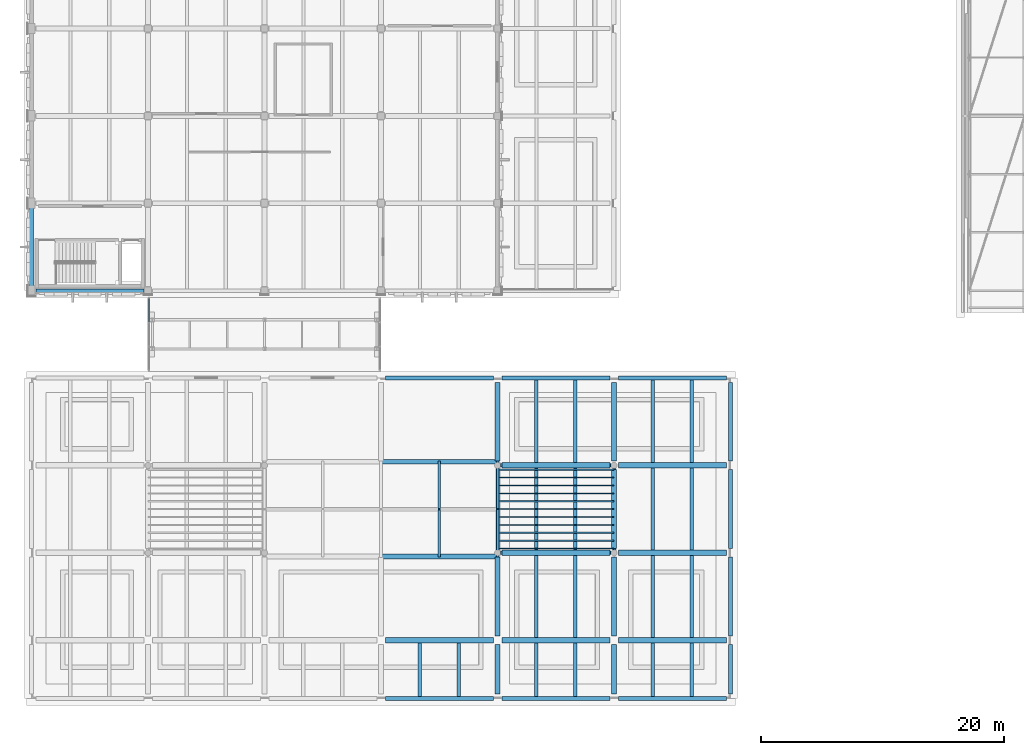
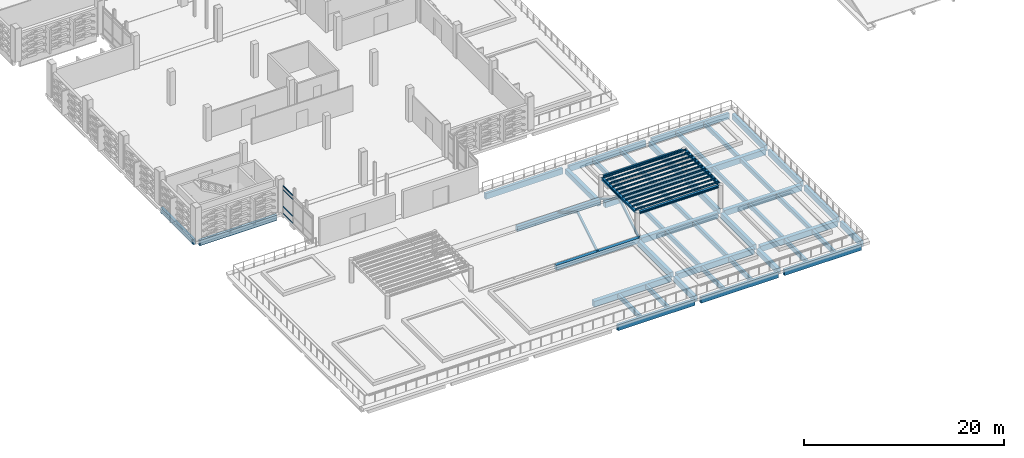
# One storey, part 9 of 134: 50 beams, 19 members, 1 element without a shape of its own.
"""IFC4 building model written with IfcOpenShell, lengths in metres."""

from ifc_helpers import new_model, si_unit, direction, frame, origin, origin_2d, place, context, subcontext, project, spatial, rectangle, hollow_rectangle, i_section, extrude, material, layer, layer_set, material_profile, profile_set, type_object, element, aggregate, save


model = new_model("IFC4")

# Units and contexts
model_context = context("Model", 3, precision=1e-05, world=origin(), true_north=direction((0.0, 1.0)))
body_context = subcontext(model_context, "Body", "Model", "MODEL_VIEW")
ifc_project = project(units=[si_unit("LENGTHUNIT", "METRE"), si_unit("AREAUNIT", "SQUARE_METRE"), si_unit("VOLUMEUNIT", "CUBIC_METRE"), si_unit("PLANEANGLEUNIT", "RADIAN"), si_unit("MASSUNIT", "GRAM", prefix="KILO")], contexts=[model_context])

# Site, building, storey
site_placement = place(None, origin())
site = spatial("IfcSite", under=ifc_project, at=site_placement, CompositionType="ELEMENT")
building_placement = place(site_placement, origin())
building = spatial("IfcBuilding", under=site, at=building_placement, Name="Asteropetra Specialist Clinic", CompositionType="ELEMENT")
storey_placement = place(building_placement, frame((0.0, 0.0, 8.5)))
storey = spatial("IfcBuildingStorey", under=building, at=storey_placement, Name="L02", CompositionType="ELEMENT", Elevation=8.5)

# Beams
ifc_material_1 = material(Name="Concrete C35/45", Category="concrete")
ifc_material_profile_1 = material_profile(ifc_material_1, rectangle(XDim=0.39990234375, YDim=0.60009765625, at=origin_2d()), Name="RCB 400x600")
ifc_profile_set_1 = profile_set([ifc_material_profile_1], Name="Concrete C35/45")
beam_type_1 = type_object("IfcBeamType", Name="BM-RC400x600", PredefinedType="BEAM", material=ifc_profile_set_1)
for number, where, z_axis, x_axis, name in (
    (1, (28.800048828125, 11.699951171875, -0.300048828125), (1.0, 0.0, 0.0), (0.0, 1.0, 0.0), "Skylight Curb Beam SKB-3"),
    (2, (28.800048828125, 19.5, -0.300048828125), (1.0, 0.0, 0.0), (0.0, 1.0, 0.0), "Skylight Curb Beam SKB-4"),
):
    element("IfcBeam", number, at=place(storey_placement, frame(where, z_axis=z_axis, x_axis=x_axis)), inside=storey, type_object=beam_type_1, Name=name, PredefinedType="BEAM", context=body_context, shape_type="SweptSolid", body=[
        extrude(rectangle(XDim=0.39990234375, YDim=0.60009765625, at=origin_2d()), origin(), (0.0, 0.0, 1.0), 9.599853515625),
    ])
ifc_material_2 = material(Name="Concrete C35/45", Category="concrete")
ifc_material_profile_2 = material_profile(ifc_material_2, rectangle(XDim=0.39990234375, YDim=0.64990234375, at=origin_2d()), Name="RCB 400x650")
ifc_profile_set_2 = profile_set([ifc_material_profile_2], Name="Concrete C35/45")
beam_type_2 = type_object("IfcBeamType", Name="BM-RC400x650", PredefinedType="BEAM", material=ifc_profile_set_2)
for number, where, z_axis, x_axis, name in (
    (3, (38.39990234375, 0.35009765625, -0.635009765625), (0.0, 1.0, 0.0), (-1.0, 0.0, 0.0), "Beam BBM07-0878"),
    (4, (48.0, 0.35009765625, -0.635009765625), (0.0, 1.0, 0.0), (-1.0, 0.0, 0.0), "Beam BBM07-0879"),
):
    element("IfcBeam", number, at=place(storey_placement, frame(where, z_axis=z_axis, x_axis=x_axis)), inside=storey, type_object=beam_type_2, Name=name, PredefinedType="BEAM", context=body_context, shape_type="SweptSolid", body=[
        extrude(rectangle(XDim=0.39990234375, YDim=0.64990234375, at=origin_2d()), origin(), (0.0, 0.0, 1.0), 4.099853515625),
    ])
for number, where, z_axis, x_axis, name in (
    (5, (38.39990234375, 5.14990234375, -0.635009765625), (0.0, 1.0, 0.0), (-1.0, 0.0, 0.0), "Beam BBM07-0897"),
    (6, (48.0, 5.14990234375, -0.635009765625), (0.0, 1.0, 0.0), (-1.0, 0.0, 0.0), "Beam BBM07-0898"),
    (7, (48.0, 12.35009765625, -0.635009765625), (0.0, 1.0, 0.0), (-1.0, 0.0, 0.0), "Beam BBM07-0910"),
    (8, (38.39990234375, 19.550048828125, -0.635009765625), (0.0, 1.0, 0.0), (-1.0, 0.0, 0.0), "Beam BBM07-0924"),
    (9, (48.0, 19.550048828125, -0.635009765625), (0.0, 1.0, 0.0), (-1.0, 0.0, 0.0), "Beam BBM07-0925"),
):
    element("IfcBeam", number, at=place(storey_placement, frame(where, z_axis=z_axis, x_axis=x_axis)), inside=storey, type_object=beam_type_2, Name=name, PredefinedType="BEAM", context=body_context, shape_type="SweptSolid", body=[
        extrude(rectangle(XDim=0.39990234375, YDim=0.64990234375, at=origin_2d()), origin(), (0.0, 0.0, 1.0), 6.5),
    ])
ifc_material_3 = material(Name="Concrete C35/45", Category="concrete")
ifc_material_profile_3 = material_profile(ifc_material_3, rectangle(XDim=0.449951171875, YDim=0.699951171875, at=origin_2d()), Name="RCB 450x700")
ifc_profile_set_3 = profile_set([ifc_material_profile_3], Name="Concrete C35/45")
beam_type_3 = type_object("IfcBeamType", Name="BM-RC450x700", PredefinedType="BEAM", material=ifc_profile_set_3)
beam_1_placement = place(storey_placement, frame((29.14990234375, 4.800048828125, -0.659912109375), z_axis=(1.0, 0.0, 0.0), x_axis=(0.0, 1.0, 0.0)))
element("IfcBeam", 10, at=beam_1_placement, inside=storey, type_object=beam_type_3, Name="Beam BBM05-0857", PredefinedType="BEAM", context=body_context, shape_type="SweptSolid", body=[
    extrude(rectangle(XDim=0.449951171875, YDim=0.699951171875, at=origin_2d()), origin(), (0.0, 0.0, 1.0), 8.900146484375),
])
for number, where, z_axis, x_axis, name in (
    (11, (38.75, 4.800048828125, -0.659912109375), (1.0, 0.0, 0.0), (0.0, 1.0, 0.0), "Beam BBM05-0858"),
    (12, (48.35009765625, 4.800048828125, -0.659912109375), (1.0, 0.0, 0.0), (0.0, 1.0, 0.0), "Beam BBM05-0859"),
    (13, (38.75, 12.0, -0.659912109375), (1.0, 0.0, 0.0), (0.0, 1.0, 0.0), "Beam BBM05-0862"),
    (14, (48.35009765625, 12.0, -0.659912109375), (1.0, 0.0, 0.0), (0.0, 1.0, 0.0), "Beam BBM05-0863"),
    (15, (38.75, 19.199951171875, -0.659912109375), (1.0, 0.0, 0.0), (0.0, 1.0, 0.0), "Beam BBM05-0866"),
    (16, (48.35009765625, 19.199951171875, -0.659912109375), (1.0, 0.0, 0.0), (0.0, 1.0, 0.0), "Beam BBM05-0867"),
):
    element("IfcBeam", number, at=place(storey_placement, frame(where, z_axis=z_axis, x_axis=x_axis)), inside=storey, type_object=beam_type_3, Name=name, PredefinedType="BEAM", context=body_context, shape_type="SweptSolid", body=[
        extrude(rectangle(XDim=0.449951171875, YDim=0.699951171875, at=origin_2d()), origin(), (0.0, 0.0, 1.0), 8.89990234375),
    ])
ifc_material_4 = material(Name="Steel S355", Category="steel")
ifc_material_profile_4 = material_profile(ifc_material_4, i_section(OverallWidth=0.280029296875, OverallDepth=0.27001953125, WebThickness=0.008056640625, FlangeThickness=0.012939453125, FilletRadius=0.02392578125, at=origin_2d()), Name="HEA 280")
ifc_profile_set_4 = profile_set([ifc_material_profile_4], Name="Steel S355")
beam_type_4 = type_object("IfcBeamType", Name="BM-STL-HEA280", PredefinedType="BEAM", material=ifc_profile_set_4)
for number, where, z_axis, x_axis, name in (
    (17, (38.39990234375, 12.25, 2.760009765625), (0.0, 1.0, 0.0), (-1.0, 0.0, 0.0), "Terrace Pergola Beam PGB-3"),
    (18, (48.0, 12.25, 2.760009765625), (0.0, 1.0, 0.0), (-1.0, 0.0, 0.0), "Terrace Pergola Beam PGB-4"),
):
    element("IfcBeam", number, at=place(storey_placement, frame(where, z_axis=z_axis, x_axis=x_axis)), inside=storey, type_object=beam_type_4, Name=name, PredefinedType="BEAM", context=body_context, shape_type="SweptSolid", body=[
        extrude(i_section(OverallWidth=0.280029296875, OverallDepth=0.27001953125, WebThickness=0.008056640625, FlangeThickness=0.012939453125, FilletRadius=0.02392578125, at=origin_2d()), origin(), (0.0, 0.0, 1.0), 6.699951171875),
    ])
for number, where, z_axis, x_axis, name in (
    (19, (38.64990234375, 12.0, 2.760009765625), (1.0, 0.0, 0.0), (0.0, 1.0, 0.0), "Terrace Pergola Tie Girder PGX-3"),
    (20, (38.64990234375, 19.199951171875, 2.760009765625), (1.0, 0.0, 0.0), (0.0, 1.0, 0.0), "Terrace Pergola Tie Girder PGX-4"),
):
    element("IfcBeam", number, at=place(storey_placement, frame(where, z_axis=z_axis, x_axis=x_axis)), inside=storey, type_object=beam_type_4, Name=name, PredefinedType="BEAM", context=body_context, shape_type="SweptSolid", body=[
        extrude(i_section(OverallWidth=0.280029296875, OverallDepth=0.27001953125, WebThickness=0.008056640625, FlangeThickness=0.012939453125, FilletRadius=0.02392578125, at=origin_2d()), origin(), (0.0, 0.0, 1.0), 9.10009765625),
    ])

# Curtain wall, members
ifc_material_5 = material(Name="Aluminium and low-E glass", Category="aluminium")
ifc_layer = layer(ifc_material_5, 0.179931640625)
ifc_layer_set = layer_set([ifc_layer], Name="Aluminium and low-E glass")
curtain_wall_type = type_object("IfcCurtainWallType", Name="CW-SYS-07", PredefinedType="USERDEFINED", material=ifc_layer_set)
curtain_wall_placement = place(storey_placement, origin())
curtain_wall = element("IfcCurtainWall", 21, at=curtain_wall_placement, inside=storey, type_object=curtain_wall_type, Name="Curtain Wall CW-099", ObjectType="STICK GLAZED COLONNADE", PredefinedType="USERDEFINED")
ifc_material_6 = material(Name="Aluminium 6063-T6", Category="aluminium")
ifc_material_profile_5 = material_profile(ifc_material_6, hollow_rectangle(XDim=0.074951171875, YDim=0.14990234375, WallThickness=0.00390625, InnerFilletRadius=0.00390625, OuterFilletRadius=0.008056640625, at=origin_2d()), Name="TRN 150x75x4.0")
ifc_profile_set_5 = profile_set([ifc_material_profile_5], Name="Aluminium 6063-T6")
member_type_1 = type_object("IfcMemberType", Name="CWT-150x75", PredefinedType="USERDEFINED", material=ifc_profile_set_5)
member_1_placement = place(storey_placement, frame((9.679931640625, 31.0341796875, 0.03759765625), z_axis=(0.0, 1.0, 0.0), x_axis=(-1.0, 0.0, 0.0)))
member_1 = element("IfcMember", 22, at=member_1_placement, type_object=member_type_1, Name="CW-099 transom 3.1", ObjectType="TRANSOM", PredefinedType="USERDEFINED", context=body_context, shape_type="SweptSolid", body=[
    extrude(hollow_rectangle(XDim=0.074951171875, YDim=0.14990234375, WallThickness=0.00390625, InnerFilletRadius=0.00390625, OuterFilletRadius=0.008056640625, at=origin_2d()), origin(), (0.0, 0.0, 1.0), 1.880859375),
])
member_2_placement = place(storey_placement, frame((9.679931640625, 31.0341796875, 0.89990234375), z_axis=(0.0, 1.0, 0.0), x_axis=(-1.0, 0.0, 0.0)))
member_2 = element("IfcMember", 23, at=member_2_placement, type_object=member_type_1, Name="CW-099 transom 3.2", ObjectType="TRANSOM", PredefinedType="USERDEFINED", context=body_context, shape_type="SweptSolid", body=[
    extrude(hollow_rectangle(XDim=0.074951171875, YDim=0.14990234375, WallThickness=0.00390625, InnerFilletRadius=0.00390625, OuterFilletRadius=0.008056640625, at=origin_2d()), origin(), (0.0, 0.0, 1.0), 1.880859375),
])
member_3_placement = place(storey_placement, frame((9.679931640625, 31.0341796875, 2.929931640625), z_axis=(0.0, 1.0, 0.0), x_axis=(-1.0, 0.0, 0.0)))
member_3 = element("IfcMember", 24, at=member_3_placement, type_object=member_type_1, Name="CW-099 transom 3.3", ObjectType="TRANSOM", PredefinedType="USERDEFINED", context=body_context, shape_type="SweptSolid", body=[
    extrude(hollow_rectangle(XDim=0.074951171875, YDim=0.14990234375, WallThickness=0.00390625, InnerFilletRadius=0.00390625, OuterFilletRadius=0.008056640625, at=origin_2d()), origin(), (0.0, 0.0, 1.0), 1.880859375),
])
member_4_placement = place(storey_placement, frame((9.679931640625, 31.0341796875, 3.392578125), z_axis=(0.0, 1.0, 0.0), x_axis=(-1.0, 0.0, 0.0)))
member_4 = element("IfcMember", 25, at=member_4_placement, type_object=member_type_1, Name="CW-099 transom 3.4", ObjectType="TRANSOM", PredefinedType="USERDEFINED", context=body_context, shape_type="SweptSolid", body=[
    extrude(hollow_rectangle(XDim=0.074951171875, YDim=0.14990234375, WallThickness=0.00390625, InnerFilletRadius=0.00390625, OuterFilletRadius=0.008056640625, at=origin_2d()), origin(), (0.0, 0.0, 1.0), 1.880859375),
])
aggregate(curtain_wall, [member_1, member_2, member_3, member_4])

# Beams
ifc_material_7 = material(Name="Concrete C35/45", Category="concrete")
ifc_material_profile_6 = material_profile(ifc_material_7, rectangle(XDim=0.280029296875, YDim=0.52001953125, at=origin_2d()), Name="RCJ 280x520")
ifc_profile_set_6 = profile_set([ifc_material_profile_6], Name="Concrete C35/45")
beam_type_5 = type_object("IfcBeamType", Name="JST-RC280x520", PredefinedType="JOIST", material=ifc_profile_set_6)
for number, where, z_axis, x_axis, name in (
    (26, (32.0, 0.159912109375, -0.570068359375), (0.0, 1.0, 0.0), (-1.0, 0.0, 0.0), "Joist JJST01-0887"),
    (27, (35.199951171875, 0.159912109375, -0.570068359375), (0.0, 1.0, 0.0), (-1.0, 0.0, 0.0), "Joist JJST01-0888"),
    (28, (41.60009765625, 0.159912109375, -0.570068359375), (0.0, 1.0, 0.0), (-1.0, 0.0, 0.0), "Joist JJST01-0889"),
    (29, (44.800048828125, 0.159912109375, -0.570068359375), (0.0, 1.0, 0.0), (-1.0, 0.0, 0.0), "Joist JJST01-0890"),
    (30, (51.199951171875, 0.159912109375, -0.570068359375), (0.0, 1.0, 0.0), (-1.0, 0.0, 0.0), "Joist JJST01-0891"),
    (31, (54.39990234375, 0.159912109375, -0.570068359375), (0.0, 1.0, 0.0), (-1.0, 0.0, 0.0), "Joist JJST01-0892"),
):
    element("IfcBeam", number, at=place(storey_placement, frame(where, z_axis=z_axis, x_axis=x_axis)), inside=storey, type_object=beam_type_5, Name=name, PredefinedType="JOIST", context=body_context, shape_type="SweptSolid", body=[
        extrude(rectangle(XDim=0.280029296875, YDim=0.52001953125, at=origin_2d()), origin(), (0.0, 0.0, 1.0), 4.4150390625),
    ])
for number, where, z_axis, x_axis, name in (
    (32, (41.60009765625, 5.02490234375, -0.570068359375), (0.0, 1.0, 0.0), (-1.0, 0.0, 0.0), "Joist JJST01-0904"),
    (33, (44.800048828125, 5.02490234375, -0.570068359375), (0.0, 1.0, 0.0), (-1.0, 0.0, 0.0), "Joist JJST01-0905"),
    (34, (51.199951171875, 5.02490234375, -0.570068359375), (0.0, 1.0, 0.0), (-1.0, 0.0, 0.0), "Joist JJST01-0906"),
    (35, (54.39990234375, 5.02490234375, -0.570068359375), (0.0, 1.0, 0.0), (-1.0, 0.0, 0.0), "Joist JJST01-0907"),
    (36, (41.60009765625, 12.22509765625, -0.570068359375), (0.0, 1.0, 0.0), (-1.0, 0.0, 0.0), "Joist JJST01-0916"),
    (37, (44.800048828125, 12.22509765625, -0.570068359375), (0.0, 1.0, 0.0), (-1.0, 0.0, 0.0), "Joist JJST01-0917"),
    (38, (51.199951171875, 12.22509765625, -0.570068359375), (0.0, 1.0, 0.0), (-1.0, 0.0, 0.0), "Joist JJST01-0918"),
    (39, (54.39990234375, 12.22509765625, -0.570068359375), (0.0, 1.0, 0.0), (-1.0, 0.0, 0.0), "Joist JJST01-0919"),
):
    element("IfcBeam", number, at=place(storey_placement, frame(where, z_axis=z_axis, x_axis=x_axis)), inside=storey, type_object=beam_type_5, Name=name, PredefinedType="JOIST", context=body_context, shape_type="SweptSolid", body=[
        extrude(rectangle(XDim=0.280029296875, YDim=0.52001953125, at=origin_2d()), origin(), (0.0, 0.0, 1.0), 6.75),
    ])
for number, where, z_axis, x_axis, name in (
    (40, (41.60009765625, 19.425048828125, -0.570068359375), (0.0, 1.0, 0.0), (-1.0, 0.0, 0.0), "Joist JJST01-0931"),
    (41, (44.800048828125, 19.425048828125, -0.570068359375), (0.0, 1.0, 0.0), (-1.0, 0.0, 0.0), "Joist JJST01-0932"),
    (42, (51.199951171875, 19.425048828125, -0.570068359375), (0.0, 1.0, 0.0), (-1.0, 0.0, 0.0), "Joist JJST01-0933"),
    (43, (54.39990234375, 19.425048828125, -0.570068359375), (0.0, 1.0, 0.0), (-1.0, 0.0, 0.0), "Joist JJST01-0934"),
):
    element("IfcBeam", number, at=place(storey_placement, frame(where, z_axis=z_axis, x_axis=x_axis)), inside=storey, type_object=beam_type_5, Name=name, PredefinedType="JOIST", context=body_context, shape_type="SweptSolid", body=[
        extrude(rectangle(XDim=0.280029296875, YDim=0.52001953125, at=origin_2d()), origin(), (0.0, 0.0, 1.0), 6.81494140625),
    ])
ifc_material_8 = material(Name="Concrete C35/45", Category="concrete")
ifc_material_profile_7 = material_profile(ifc_material_8, rectangle(XDim=0.300048828125, YDim=0.64990234375, at=origin_2d()), Name="RCS 300x650")
ifc_profile_set_7 = profile_set([ifc_material_profile_7], Name="Concrete C35/45")
beam_type_6 = type_object("IfcBeamType", Name="SPN-RC300x650", PredefinedType="SPANDREL", material=ifc_profile_set_7)
beam_2_placement = place(storey_placement, frame((0.35009765625, 33.60009765625, -0.625), z_axis=(1.0, 0.0, 0.0), x_axis=(0.0, 1.0, 0.0)))
element("IfcBeam", 44, at=beam_2_placement, inside=storey, type_object=beam_type_6, Name="Beam BSPN03-1053", PredefinedType="SPANDREL", context=body_context, shape_type="SweptSolid", body=[
    extrude(rectangle(XDim=0.300048828125, YDim=0.64990234375, at=origin_2d()), origin(), (0.0, 0.0, 1.0), 8.89990234375),
])
beam_3_placement = place(storey_placement, frame((0.0, 33.949951171875, -0.625), z_axis=(0.0, 1.0, 0.0), x_axis=(-1.0, 0.0, 0.0)))
element("IfcBeam", 45, at=beam_3_placement, inside=storey, type_object=beam_type_6, Name="Beam BSPN03-1073", PredefinedType="SPANDREL", context=body_context, shape_type="SweptSolid", body=[
    extrude(rectangle(XDim=0.300048828125, YDim=0.64990234375, at=origin_2d()), origin(), (0.0, 0.0, 1.0), 6.5),
])
ifc_material_9 = material(Name="Concrete C35/45", Category="concrete")
ifc_material_profile_8 = material_profile(ifc_material_9, rectangle(XDim=0.320068359375, YDim=0.699951171875, at=origin_2d()), Name="RCS 320x700")
ifc_profile_set_8 = profile_set([ifc_material_profile_8], Name="Concrete C35/45")
beam_type_7 = type_object("IfcBeamType", Name="SPN-RC320x700", PredefinedType="SPANDREL", material=ifc_profile_set_8)
beam_4_placement = place(storey_placement, frame((29.14990234375, 0.0, -0.659912109375), z_axis=(1.0, 0.0, 0.0), x_axis=(0.0, 1.0, 0.0)))
element("IfcBeam", 46, at=beam_4_placement, inside=storey, type_object=beam_type_7, Name="Beam BSPN02-0851", PredefinedType="SPANDREL", context=body_context, shape_type="SweptSolid", body=[
    extrude(rectangle(XDim=0.320068359375, YDim=0.699951171875, at=origin_2d()), origin(), (0.0, 0.0, 1.0), 8.900146484375),
])
for number, where, z_axis, x_axis, name in (
    (47, (38.75, 0.0, -0.659912109375), (1.0, 0.0, 0.0), (0.0, 1.0, 0.0), "Beam BSPN02-0852"),
    (48, (48.35009765625, 0.0, -0.659912109375), (1.0, 0.0, 0.0), (0.0, 1.0, 0.0), "Beam BSPN02-0853"),
):
    element("IfcBeam", number, at=place(storey_placement, frame(where, z_axis=z_axis, x_axis=x_axis)), inside=storey, type_object=beam_type_7, Name=name, PredefinedType="SPANDREL", context=body_context, shape_type="SweptSolid", body=[
        extrude(rectangle(XDim=0.320068359375, YDim=0.699951171875, at=origin_2d()), origin(), (0.0, 0.0, 1.0), 8.89990234375),
    ])
beam_5_placement = place(storey_placement, frame((29.14990234375, 26.39990234375, -0.659912109375), z_axis=(1.0, 0.0, 0.0), x_axis=(0.0, 1.0, 0.0)))
element("IfcBeam", 49, at=beam_5_placement, inside=storey, type_object=beam_type_7, Name="Beam BSPN02-0871", PredefinedType="SPANDREL", context=body_context, shape_type="SweptSolid", body=[
    extrude(rectangle(XDim=0.320068359375, YDim=0.699951171875, at=origin_2d()), origin(), (0.0, 0.0, 1.0), 8.900146484375),
])
for number, where, z_axis, x_axis, name in (
    (50, (38.75, 26.39990234375, -0.659912109375), (1.0, 0.0, 0.0), (0.0, 1.0, 0.0), "Beam BSPN02-0872"),
    (51, (48.35009765625, 26.39990234375, -0.659912109375), (1.0, 0.0, 0.0), (0.0, 1.0, 0.0), "Beam BSPN02-0873"),
):
    element("IfcBeam", number, at=place(storey_placement, frame(where, z_axis=z_axis, x_axis=x_axis)), inside=storey, type_object=beam_type_7, Name=name, PredefinedType="SPANDREL", context=body_context, shape_type="SweptSolid", body=[
        extrude(rectangle(XDim=0.320068359375, YDim=0.699951171875, at=origin_2d()), origin(), (0.0, 0.0, 1.0), 8.89990234375),
    ])
beam_6_placement = place(storey_placement, frame((57.60009765625, 0.35009765625, -0.659912109375), z_axis=(0.0, 1.0, 0.0), x_axis=(-1.0, 0.0, 0.0)))
element("IfcBeam", 52, at=beam_6_placement, inside=storey, type_object=beam_type_7, Name="Beam BSPN02-0880", PredefinedType="SPANDREL", context=body_context, shape_type="SweptSolid", body=[
    extrude(rectangle(XDim=0.320068359375, YDim=0.699951171875, at=origin_2d()), origin(), (0.0, 0.0, 1.0), 4.099853515625),
])
for number, where, z_axis, x_axis, name in (
    (53, (57.60009765625, 5.14990234375, -0.659912109375), (0.0, 1.0, 0.0), (-1.0, 0.0, 0.0), "Beam BSPN02-0899"),
    (54, (57.60009765625, 12.35009765625, -0.659912109375), (0.0, 1.0, 0.0), (-1.0, 0.0, 0.0), "Beam BSPN02-0911"),
    (55, (57.60009765625, 19.550048828125, -0.659912109375), (0.0, 1.0, 0.0), (-1.0, 0.0, 0.0), "Beam BSPN02-0926"),
):
    element("IfcBeam", number, at=place(storey_placement, frame(where, z_axis=z_axis, x_axis=x_axis)), inside=storey, type_object=beam_type_7, Name=name, PredefinedType="SPANDREL", context=body_context, shape_type="SweptSolid", body=[
        extrude(rectangle(XDim=0.320068359375, YDim=0.699951171875, at=origin_2d()), origin(), (0.0, 0.0, 1.0), 6.5),
    ])

# Members
ifc_material_10 = material(Name="Steel S355", Category="steel")
ifc_material_profile_9 = material_profile(ifc_material_10, i_section(OverallWidth=0.10009765625, OverallDepth=0.199951171875, WebThickness=0.005615234375, FlangeThickness=0.008544921875, FilletRadius=0.011962890625, at=origin_2d()), Name="IPE 200")
ifc_profile_set_9 = profile_set([ifc_material_profile_9], Name="Steel S355")
member_type_2 = type_object("IfcMemberType", Name="TR-PUR-IPE200", PredefinedType="PURLIN", material=ifc_profile_set_9)
for number, where, z_axis, x_axis, name in (
    (56, (38.39990234375, 12.35009765625, 2.989990234375), (1.0, 0.0, 0.0), (0.0, 1.0, 0.0), "Terrace Pergola Shade Trellis PGR-12"),
    (57, (38.39990234375, 13.0, 2.989990234375), (1.0, 0.0, 0.0), (0.0, 1.0, 0.0), "Terrace Pergola Shade Trellis PGR-13"),
    (58, (38.39990234375, 13.64990234375, 2.989990234375), (1.0, 0.0, 0.0), (0.0, 1.0, 0.0), "Terrace Pergola Shade Trellis PGR-14"),
    (59, (38.39990234375, 14.300048828125, 2.989990234375), (1.0, 0.0, 0.0), (0.0, 1.0, 0.0), "Terrace Pergola Shade Trellis PGR-15"),
    (60, (38.39990234375, 14.949951171875, 2.989990234375), (1.0, 0.0, 0.0), (0.0, 1.0, 0.0), "Terrace Pergola Shade Trellis PGR-16"),
    (61, (38.39990234375, 15.60009765625, 2.989990234375), (1.0, 0.0, 0.0), (0.0, 1.0, 0.0), "Terrace Pergola Shade Trellis PGR-17"),
    (62, (38.39990234375, 16.25, 2.989990234375), (1.0, 0.0, 0.0), (0.0, 1.0, 0.0), "Terrace Pergola Shade Trellis PGR-18"),
    (63, (38.39990234375, 16.89990234375, 2.989990234375), (1.0, 0.0, 0.0), (0.0, 1.0, 0.0), "Terrace Pergola Shade Trellis PGR-19"),
    (64, (38.39990234375, 17.550048828125, 2.989990234375), (1.0, 0.0, 0.0), (0.0, 1.0, 0.0), "Terrace Pergola Shade Trellis PGR-20"),
    (65, (38.39990234375, 18.199951171875, 2.989990234375), (1.0, 0.0, 0.0), (0.0, 1.0, 0.0), "Terrace Pergola Shade Trellis PGR-21"),
    (66, (38.39990234375, 18.85009765625, 2.989990234375), (1.0, 0.0, 0.0), (0.0, 1.0, 0.0), "Terrace Pergola Shade Trellis PGR-22"),
):
    element("IfcMember", number, at=place(storey_placement, frame(where, z_axis=z_axis, x_axis=x_axis)), inside=storey, type_object=member_type_2, Name=name, PredefinedType="PURLIN", context=body_context, shape_type="SweptSolid", body=[
        extrude(i_section(OverallWidth=0.10009765625, OverallDepth=0.199951171875, WebThickness=0.005615234375, FlangeThickness=0.008544921875, FilletRadius=0.011962890625, at=origin_2d()), origin(), (0.0, 0.0, 1.0), 9.60009765625),
    ])
ifc_material_11 = material(Name="Steel S355", Category="steel")
ifc_material_profile_10 = material_profile(ifc_material_11, i_section(OverallWidth=0.199951171875, OverallDepth=0.18994140625, WebThickness=0.006591796875, FlangeThickness=0.010009765625, FilletRadius=0.01806640625, at=origin_2d()), Name="HEA 200")
ifc_profile_set_10 = profile_set([ifc_material_profile_10], Name="Steel S355")
member_type_3 = type_object("IfcMemberType", Name="TR-RAF-HEA200", PredefinedType="RAFTER", material=ifc_profile_set_10)
member_5_placement = place(storey_placement, frame((38.39990234375, 11.699951171875, -0.0400390625), z_axis=(0.0, 0.852628099102, 0.522518252908), x_axis=(-1.0, 0.0, 0.0)))
element("IfcMember", 67, at=member_5_placement, inside=storey, type_object=member_type_3, Name="Atrium Rafter South SKR-S5", PredefinedType="RAFTER", context=body_context, shape_type="SweptSolid", body=[
    extrude(i_section(OverallWidth=0.199951171875, OverallDepth=0.18994140625, WebThickness=0.006591796875, FlangeThickness=0.010009765625, FilletRadius=0.01806640625, at=origin_2d()), origin(), (0.0, 0.0, 1.0), 4.57421875),
])
member_6_placement = place(storey_placement, frame((38.39990234375, 15.60009765625, 2.35009765625), z_axis=(0.0, 0.852613526022, -0.522542032037), x_axis=(-1.0, 0.0, 0.0)))
element("IfcMember", 68, at=member_6_placement, inside=storey, type_object=member_type_3, Name="Atrium Rafter North SKR-N5", PredefinedType="RAFTER", context=body_context, shape_type="SweptSolid", body=[
    extrude(i_section(OverallWidth=0.199951171875, OverallDepth=0.18994140625, WebThickness=0.006591796875, FlangeThickness=0.010009765625, FilletRadius=0.01806640625, at=origin_2d()), origin(), (0.0, 0.0, 1.0), 4.573974609375),
])
ifc_material_12 = material(Name="Steel S355", Category="steel")
ifc_material_profile_11 = material_profile(ifc_material_12, i_section(OverallWidth=0.219970703125, OverallDepth=0.2099609375, WebThickness=0.007080078125, FlangeThickness=0.010986328125, FilletRadius=0.01806640625, at=origin_2d()), Name="HEA 220")
ifc_profile_set_11 = profile_set([ifc_material_profile_11], Name="Steel S355")
member_type_4 = type_object("IfcMemberType", Name="TR-RAF-HEA220", PredefinedType="RAFTER", material=ifc_profile_set_11)
member_7_placement = place(storey_placement, frame((33.60009765625, 11.699951171875, -0.0400390625), z_axis=(0.0, 0.852628099102, 0.522518252908), x_axis=(-1.0, 0.0, 0.0)))
element("IfcMember", 69, at=member_7_placement, inside=storey, type_object=member_type_4, Name="Atrium Rafter South SKR-S4", PredefinedType="RAFTER", context=body_context, shape_type="SweptSolid", body=[
    extrude(i_section(OverallWidth=0.219970703125, OverallDepth=0.2099609375, WebThickness=0.007080078125, FlangeThickness=0.010986328125, FilletRadius=0.01806640625, at=origin_2d()), origin(), (0.0, 0.0, 1.0), 4.57421875),
])
member_8_placement = place(storey_placement, frame((33.60009765625, 15.60009765625, 2.35009765625), z_axis=(0.0, 0.852613526022, -0.522542032037), x_axis=(-1.0, 0.0, 0.0)))
element("IfcMember", 70, at=member_8_placement, inside=storey, type_object=member_type_4, Name="Atrium Rafter North SKR-N4", PredefinedType="RAFTER", context=body_context, shape_type="SweptSolid", body=[
    extrude(i_section(OverallWidth=0.219970703125, OverallDepth=0.2099609375, WebThickness=0.007080078125, FlangeThickness=0.010986328125, FilletRadius=0.01806640625, at=origin_2d()), origin(), (0.0, 0.0, 1.0), 4.573974609375),
])

save(model, "model.ifc")
